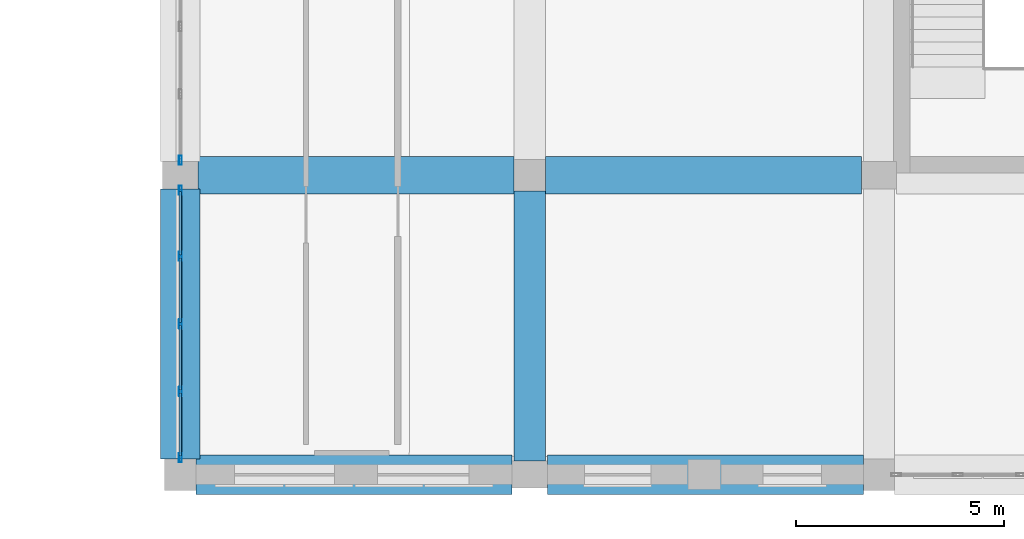
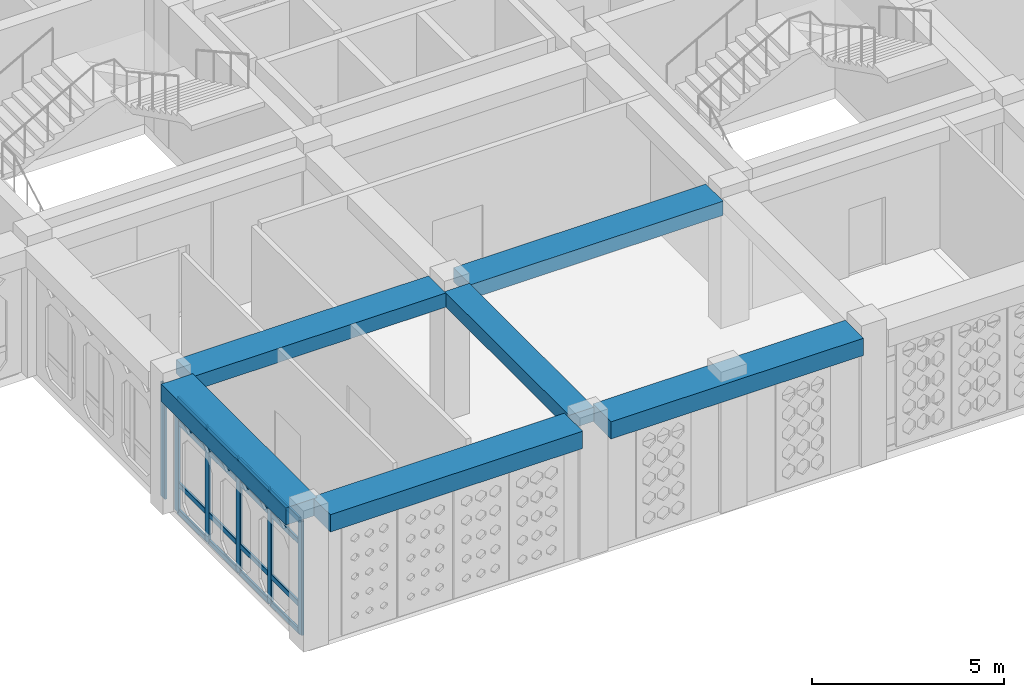
# One storey, part 4 of 121: 22 members, 6 beams, 2 elements without a shape of their own.
"""IFC4 building model written with IfcOpenShell, lengths in metres."""

from ifc_helpers import new_model, si_unit, derived_unit, direction, frame, origin, origin_2d, place, context, subcontext, project, spatial, rectangle, hollow_rectangle, extrude, material, material_profile, profile_set, type_object, element, aggregate, save


model = new_model("IFC4")

# Units and contexts
model_context = context("Model", 3, precision=1e-05, world=origin(), true_north=direction((0.0, 1.0)))
body_context = subcontext(model_context, "Body", "Model", "MODEL_VIEW")
ifc_project = project(units=[si_unit("LENGTHUNIT", "METRE"), si_unit("AREAUNIT", "SQUARE_METRE"), si_unit("VOLUMEUNIT", "CUBIC_METRE"), si_unit("PLANEANGLEUNIT", "RADIAN"), si_unit("MASSUNIT", "GRAM", prefix="KILO"), derived_unit("THERMALTRANSMITTANCEUNIT", [(si_unit("POWERUNIT", "WATT"), 1), (si_unit("LENGTHUNIT", "METRE"), -2), (si_unit("THERMODYNAMICTEMPERATUREUNIT", "KELVIN"), -1)])], contexts=[model_context])

# Site, building, storey
site_placement = place(None, origin())
site = spatial("IfcSite", under=ifc_project, at=site_placement, CompositionType="ELEMENT")
building_placement = place(site_placement, origin())
building = spatial("IfcBuilding", under=site, at=building_placement, Name="Veybourne Emporium", CompositionType="ELEMENT")
storey_placement = place(building_placement, frame((0.0, 0.0, 5.39990234375)))
storey = spatial("IfcBuildingStorey", under=building, at=storey_placement, Name="L01", CompositionType="ELEMENT", Elevation=5.39990234375)

# Curtain wall, member
ifc_material_1 = material(Name="Patinated Architectural Bronze", Category="bronze")
curtain_wall_type_1 = type_object("IfcCurtainWallType", Name="CWSystem_CWS-01", PredefinedType="NOTDEFINED", material=ifc_material_1)
curtain_wall_1_placement = place(storey_placement, origin())
curtain_wall_1 = element("IfcCurtainWall", 1, at=curtain_wall_1_placement, inside=storey, type_object=curtain_wall_type_1, Name="L01 bronze glazed curtain wall CWS-01 (016)", PredefinedType="NOTDEFINED")
ifc_material_profile_1 = material_profile(ifc_material_1, hollow_rectangle(XDim=0.072021484375, YDim=0.22509765625, WallThickness=0.0048828125, InnerFilletRadius=0.007568359375, OuterFilletRadius=0.012451171875, at=origin_2d()), Name="CWM 72x225x5")
ifc_profile_set_1 = profile_set([ifc_material_profile_1], Name="Patinated Architectural Bronze")
member_type_1 = type_object("IfcMemberType", Name="CWMullion_CW-M1", PredefinedType="MULLION", material=ifc_profile_set_1)
member_1_placement = place(storey_placement, frame((16.800048828125, 7.56103515625, 0.0), z_axis=(0.0, 0.0, 1.0), x_axis=(-1.0, 0.0, 0.0)))
member_1 = element("IfcMember", 2, at=member_1_placement, type_object=member_type_1, Name="CWS-01 mullion 1", PredefinedType="MULLION", context=body_context, shape_type="SweptSolid", body=[
    extrude(hollow_rectangle(XDim=0.072021484375, YDim=0.22509765625, WallThickness=0.0048828125, InnerFilletRadius=0.007568359375, OuterFilletRadius=0.012451171875, at=origin_2d()), origin(), (0.0, 0.0, 1.0), 3.630126953125),
])
aggregate(curtain_wall_1, [member_1])

# Curtain wall, members
curtain_wall_type_2 = type_object("IfcCurtainWallType", Name="CWSystem_CWS-28", PredefinedType="NOTDEFINED", material=ifc_material_1)
curtain_wall_2_placement = place(storey_placement, origin())
curtain_wall_2 = element("IfcCurtainWall", 3, at=curtain_wall_2_placement, inside=storey, type_object=curtain_wall_type_2, Name="L01 bronze glazed curtain wall CWS-28 (015)", PredefinedType="NOTDEFINED")
ifc_material_profile_2 = material_profile(ifc_material_1, hollow_rectangle(XDim=0.070068359375, YDim=0.219970703125, WallThickness=0.0048828125, InnerFilletRadius=0.007568359375, OuterFilletRadius=0.012451171875, at=origin_2d()), Name="CWM 70x220x5")
ifc_profile_set_2 = profile_set([ifc_material_profile_2], Name="Patinated Architectural Bronze")
member_type_2 = type_object("IfcMemberType", Name="CWMullion_CW-M4", PredefinedType="MULLION", material=ifc_profile_set_2)
member_2_placement = place(storey_placement, frame((16.800048828125, 0.409912109375, 0.0), z_axis=(0.0, 0.0, 1.0), x_axis=(-1.0, 0.0, 0.0)))
member_2 = element("IfcMember", 4, at=member_2_placement, type_object=member_type_2, Name="CWS-28 mullion 1", PredefinedType="MULLION", context=body_context, shape_type="SweptSolid", body=[
    extrude(hollow_rectangle(XDim=0.070068359375, YDim=0.219970703125, WallThickness=0.0048828125, InnerFilletRadius=0.007568359375, OuterFilletRadius=0.012451171875, at=origin_2d()), origin(), (0.0, 0.0, 1.0), 3.630126953125),
])
member_3_placement = place(storey_placement, frame((16.800048828125, 2.0, 0.0), z_axis=(0.0, 0.0, 1.0), x_axis=(-1.0, 0.0, 0.0)))
member_3 = element("IfcMember", 5, at=member_3_placement, type_object=member_type_2, Name="CWS-28 mullion 2", PredefinedType="MULLION", context=body_context, shape_type="SweptSolid", body=[
    extrude(hollow_rectangle(XDim=0.070068359375, YDim=0.219970703125, WallThickness=0.0048828125, InnerFilletRadius=0.007568359375, OuterFilletRadius=0.012451171875, at=origin_2d()), origin(), (0.0, 0.0, 1.0), 3.630126953125),
])
member_4_placement = place(storey_placement, frame((16.800048828125, 3.625, 0.0), z_axis=(0.0, 0.0, 1.0), x_axis=(-1.0, 0.0, 0.0)))
member_4 = element("IfcMember", 6, at=member_4_placement, type_object=member_type_2, Name="CWS-28 mullion 3", PredefinedType="MULLION", context=body_context, shape_type="SweptSolid", body=[
    extrude(hollow_rectangle(XDim=0.070068359375, YDim=0.219970703125, WallThickness=0.0048828125, InnerFilletRadius=0.007568359375, OuterFilletRadius=0.012451171875, at=origin_2d()), origin(), (0.0, 0.0, 1.0), 3.630126953125),
])
member_5_placement = place(storey_placement, frame((16.800048828125, 5.25, 0.0), z_axis=(0.0, 0.0, 1.0), x_axis=(-1.0, 0.0, 0.0)))
member_5 = element("IfcMember", 7, at=member_5_placement, type_object=member_type_2, Name="CWS-28 mullion 4", PredefinedType="MULLION", context=body_context, shape_type="SweptSolid", body=[
    extrude(hollow_rectangle(XDim=0.070068359375, YDim=0.219970703125, WallThickness=0.0048828125, InnerFilletRadius=0.007568359375, OuterFilletRadius=0.012451171875, at=origin_2d()), origin(), (0.0, 0.0, 1.0), 3.630126953125),
])
member_6_placement = place(storey_placement, frame((16.800048828125, 6.840087890625, 0.0), z_axis=(0.0, 0.0, 1.0), x_axis=(-1.0, 0.0, 0.0)))
member_6 = element("IfcMember", 8, at=member_6_placement, type_object=member_type_2, Name="CWS-28 mullion 5", PredefinedType="MULLION", context=body_context, shape_type="SweptSolid", body=[
    extrude(hollow_rectangle(XDim=0.070068359375, YDim=0.219970703125, WallThickness=0.0048828125, InnerFilletRadius=0.007568359375, OuterFilletRadius=0.012451171875, at=origin_2d()), origin(), (0.0, 0.0, 1.0), 3.630126953125),
])
ifc_material_profile_3 = material_profile(ifc_material_1, hollow_rectangle(XDim=0.070068359375, YDim=0.169921875, WallThickness=0.0048828125, InnerFilletRadius=0.007568359375, OuterFilletRadius=0.012451171875, at=origin_2d()), Name="CWT 70x170x5")
ifc_profile_set_3 = profile_set([ifc_material_profile_3], Name="Patinated Architectural Bronze")
member_type_3 = type_object("IfcMemberType", Name="CWTransom_CW-T4", PredefinedType="NOTDEFINED", material=ifc_profile_set_3)
member_7_placement = place(storey_placement, frame((16.800048828125, 0.445068359375, 0.03515625), z_axis=(0.0, 1.0, 0.0), x_axis=(-1.0, 0.0, 0.0)))
member_7 = element("IfcMember", 9, at=member_7_placement, type_object=member_type_3, Name="CWS-28 transom 1.1", ObjectType="TRANSOM", PredefinedType="USERDEFINED", context=body_context, shape_type="SweptSolid", body=[
    extrude(hollow_rectangle(XDim=0.070068359375, YDim=0.169921875, WallThickness=0.0048828125, InnerFilletRadius=0.007568359375, OuterFilletRadius=0.012451171875, at=origin_2d()), origin(), (0.0, 0.0, 1.0), 1.52001953125),
])
member_8_placement = place(storey_placement, frame((16.800048828125, 0.445068359375, 0.900146484375), z_axis=(0.0, 1.0, 0.0), x_axis=(-1.0, 0.0, 0.0)))
member_8 = element("IfcMember", 10, at=member_8_placement, type_object=member_type_3, Name="CWS-28 transom 1.2", ObjectType="TRANSOM", PredefinedType="USERDEFINED", context=body_context, shape_type="SweptSolid", body=[
    extrude(hollow_rectangle(XDim=0.070068359375, YDim=0.169921875, WallThickness=0.0048828125, InnerFilletRadius=0.007568359375, OuterFilletRadius=0.012451171875, at=origin_2d()), origin(), (0.0, 0.0, 1.0), 1.52001953125),
])
member_9_placement = place(storey_placement, frame((16.800048828125, 0.445068359375, 2.880126953125), z_axis=(0.0, 1.0, 0.0), x_axis=(-1.0, 0.0, 0.0)))
member_9 = element("IfcMember", 11, at=member_9_placement, type_object=member_type_3, Name="CWS-28 transom 1.3", ObjectType="TRANSOM", PredefinedType="USERDEFINED", context=body_context, shape_type="SweptSolid", body=[
    extrude(hollow_rectangle(XDim=0.070068359375, YDim=0.169921875, WallThickness=0.0048828125, InnerFilletRadius=0.007568359375, OuterFilletRadius=0.012451171875, at=origin_2d()), origin(), (0.0, 0.0, 1.0), 1.52001953125),
])
member_10_placement = place(storey_placement, frame((16.800048828125, 0.445068359375, 3.59521484375), z_axis=(0.0, 1.0, 0.0), x_axis=(-1.0, 0.0, 0.0)))
member_10 = element("IfcMember", 12, at=member_10_placement, type_object=member_type_3, Name="CWS-28 transom 1.4", ObjectType="TRANSOM", PredefinedType="USERDEFINED", context=body_context, shape_type="SweptSolid", body=[
    extrude(hollow_rectangle(XDim=0.070068359375, YDim=0.169921875, WallThickness=0.0048828125, InnerFilletRadius=0.007568359375, OuterFilletRadius=0.012451171875, at=origin_2d()), origin(), (0.0, 0.0, 1.0), 1.52001953125),
])
member_11_placement = place(storey_placement, frame((16.800048828125, 2.034912109375, 0.03515625), z_axis=(0.0, 1.0, 0.0), x_axis=(-1.0, 0.0, 0.0)))
member_11 = element("IfcMember", 13, at=member_11_placement, type_object=member_type_3, Name="CWS-28 transom 2.1", ObjectType="TRANSOM", PredefinedType="USERDEFINED", context=body_context, shape_type="SweptSolid", body=[
    extrude(hollow_rectangle(XDim=0.070068359375, YDim=0.169921875, WallThickness=0.0048828125, InnerFilletRadius=0.007568359375, OuterFilletRadius=0.012451171875, at=origin_2d()), origin(), (0.0, 0.0, 1.0), 1.55517578125),
])
member_12_placement = place(storey_placement, frame((16.800048828125, 2.034912109375, 0.900146484375), z_axis=(0.0, 1.0, 0.0), x_axis=(-1.0, 0.0, 0.0)))
member_12 = element("IfcMember", 14, at=member_12_placement, type_object=member_type_3, Name="CWS-28 transom 2.2", ObjectType="TRANSOM", PredefinedType="USERDEFINED", context=body_context, shape_type="SweptSolid", body=[
    extrude(hollow_rectangle(XDim=0.070068359375, YDim=0.169921875, WallThickness=0.0048828125, InnerFilletRadius=0.007568359375, OuterFilletRadius=0.012451171875, at=origin_2d()), origin(), (0.0, 0.0, 1.0), 1.55517578125),
])
member_13_placement = place(storey_placement, frame((16.800048828125, 2.034912109375, 2.880126953125), z_axis=(0.0, 1.0, 0.0), x_axis=(-1.0, 0.0, 0.0)))
member_13 = element("IfcMember", 15, at=member_13_placement, type_object=member_type_3, Name="CWS-28 transom 2.3", ObjectType="TRANSOM", PredefinedType="USERDEFINED", context=body_context, shape_type="SweptSolid", body=[
    extrude(hollow_rectangle(XDim=0.070068359375, YDim=0.169921875, WallThickness=0.0048828125, InnerFilletRadius=0.007568359375, OuterFilletRadius=0.012451171875, at=origin_2d()), origin(), (0.0, 0.0, 1.0), 1.55517578125),
])
member_14_placement = place(storey_placement, frame((16.800048828125, 2.034912109375, 3.59521484375), z_axis=(0.0, 1.0, 0.0), x_axis=(-1.0, 0.0, 0.0)))
member_14 = element("IfcMember", 16, at=member_14_placement, type_object=member_type_3, Name="CWS-28 transom 2.4", ObjectType="TRANSOM", PredefinedType="USERDEFINED", context=body_context, shape_type="SweptSolid", body=[
    extrude(hollow_rectangle(XDim=0.070068359375, YDim=0.169921875, WallThickness=0.0048828125, InnerFilletRadius=0.007568359375, OuterFilletRadius=0.012451171875, at=origin_2d()), origin(), (0.0, 0.0, 1.0), 1.55517578125),
])
member_15_placement = place(storey_placement, frame((16.800048828125, 3.659912109375, 0.03515625), z_axis=(0.0, 1.0, 0.0), x_axis=(-1.0, 0.0, 0.0)))
member_15 = element("IfcMember", 17, at=member_15_placement, type_object=member_type_3, Name="CWS-28 transom 3.1", ObjectType="TRANSOM", PredefinedType="USERDEFINED", context=body_context, shape_type="SweptSolid", body=[
    extrude(hollow_rectangle(XDim=0.070068359375, YDim=0.169921875, WallThickness=0.0048828125, InnerFilletRadius=0.007568359375, OuterFilletRadius=0.012451171875, at=origin_2d()), origin(), (0.0, 0.0, 1.0), 1.55517578125),
])
member_16_placement = place(storey_placement, frame((16.800048828125, 3.659912109375, 0.900146484375), z_axis=(0.0, 1.0, 0.0), x_axis=(-1.0, 0.0, 0.0)))
member_16 = element("IfcMember", 18, at=member_16_placement, type_object=member_type_3, Name="CWS-28 transom 3.2", ObjectType="TRANSOM", PredefinedType="USERDEFINED", context=body_context, shape_type="SweptSolid", body=[
    extrude(hollow_rectangle(XDim=0.070068359375, YDim=0.169921875, WallThickness=0.0048828125, InnerFilletRadius=0.007568359375, OuterFilletRadius=0.012451171875, at=origin_2d()), origin(), (0.0, 0.0, 1.0), 1.55517578125),
])
member_17_placement = place(storey_placement, frame((16.800048828125, 3.659912109375, 2.880126953125), z_axis=(0.0, 1.0, 0.0), x_axis=(-1.0, 0.0, 0.0)))
member_17 = element("IfcMember", 19, at=member_17_placement, type_object=member_type_3, Name="CWS-28 transom 3.3", ObjectType="TRANSOM", PredefinedType="USERDEFINED", context=body_context, shape_type="SweptSolid", body=[
    extrude(hollow_rectangle(XDim=0.070068359375, YDim=0.169921875, WallThickness=0.0048828125, InnerFilletRadius=0.007568359375, OuterFilletRadius=0.012451171875, at=origin_2d()), origin(), (0.0, 0.0, 1.0), 1.55517578125),
])
member_18_placement = place(storey_placement, frame((16.800048828125, 3.659912109375, 3.59521484375), z_axis=(0.0, 1.0, 0.0), x_axis=(-1.0, 0.0, 0.0)))
member_18 = element("IfcMember", 20, at=member_18_placement, type_object=member_type_3, Name="CWS-28 transom 3.4", ObjectType="TRANSOM", PredefinedType="USERDEFINED", context=body_context, shape_type="SweptSolid", body=[
    extrude(hollow_rectangle(XDim=0.070068359375, YDim=0.169921875, WallThickness=0.0048828125, InnerFilletRadius=0.007568359375, OuterFilletRadius=0.012451171875, at=origin_2d()), origin(), (0.0, 0.0, 1.0), 1.55517578125),
])
member_19_placement = place(storey_placement, frame((16.800048828125, 5.284912109375, 0.03515625), z_axis=(0.0, 1.0, 0.0), x_axis=(-1.0, 0.0, 0.0)))
member_19 = element("IfcMember", 21, at=member_19_placement, type_object=member_type_3, Name="CWS-28 transom 4.1", ObjectType="TRANSOM", PredefinedType="USERDEFINED", context=body_context, shape_type="SweptSolid", body=[
    extrude(hollow_rectangle(XDim=0.070068359375, YDim=0.169921875, WallThickness=0.0048828125, InnerFilletRadius=0.007568359375, OuterFilletRadius=0.012451171875, at=origin_2d()), origin(), (0.0, 0.0, 1.0), 1.52001953125),
])
member_20_placement = place(storey_placement, frame((16.800048828125, 5.284912109375, 0.900146484375), z_axis=(0.0, 1.0, 0.0), x_axis=(-1.0, 0.0, 0.0)))
member_20 = element("IfcMember", 22, at=member_20_placement, type_object=member_type_3, Name="CWS-28 transom 4.2", ObjectType="TRANSOM", PredefinedType="USERDEFINED", context=body_context, shape_type="SweptSolid", body=[
    extrude(hollow_rectangle(XDim=0.070068359375, YDim=0.169921875, WallThickness=0.0048828125, InnerFilletRadius=0.007568359375, OuterFilletRadius=0.012451171875, at=origin_2d()), origin(), (0.0, 0.0, 1.0), 1.52001953125),
])
member_21_placement = place(storey_placement, frame((16.800048828125, 5.284912109375, 2.880126953125), z_axis=(0.0, 1.0, 0.0), x_axis=(-1.0, 0.0, 0.0)))
member_21 = element("IfcMember", 23, at=member_21_placement, type_object=member_type_3, Name="CWS-28 transom 4.3", ObjectType="TRANSOM", PredefinedType="USERDEFINED", context=body_context, shape_type="SweptSolid", body=[
    extrude(hollow_rectangle(XDim=0.070068359375, YDim=0.169921875, WallThickness=0.0048828125, InnerFilletRadius=0.007568359375, OuterFilletRadius=0.012451171875, at=origin_2d()), origin(), (0.0, 0.0, 1.0), 1.52001953125),
])
member_22_placement = place(storey_placement, frame((16.800048828125, 5.284912109375, 3.59521484375), z_axis=(0.0, 1.0, 0.0), x_axis=(-1.0, 0.0, 0.0)))
member_22 = element("IfcMember", 24, at=member_22_placement, type_object=member_type_3, Name="CWS-28 transom 4.4", ObjectType="TRANSOM", PredefinedType="USERDEFINED", context=body_context, shape_type="SweptSolid", body=[
    extrude(hollow_rectangle(XDim=0.070068359375, YDim=0.169921875, WallThickness=0.0048828125, InnerFilletRadius=0.007568359375, OuterFilletRadius=0.012451171875, at=origin_2d()), origin(), (0.0, 0.0, 1.0), 1.52001953125),
])
aggregate(curtain_wall_2, [member_2, member_3, member_4, member_5, member_6, member_7, member_8, member_9, member_10, member_11, member_12, member_13, member_14, member_15, member_16, member_17, member_18, member_19, member_20, member_21, member_22])

# Beams
ifc_material_2 = material(Name="Concrete C32/40", Category="concrete")
ifc_material_profile_4 = material_profile(ifc_material_2, rectangle(XDim=0.89990234375, YDim=0.449951171875, at=origin_2d()), Name="RC 900x450")
ifc_profile_set_4 = profile_set([ifc_material_profile_4], Name="Concrete C32/40")
beam_type_1 = type_object("IfcBeamType", Name="RCBeam_BB-03", PredefinedType="BEAM", material=ifc_profile_set_4)
beam_1_placement = place(storey_placement, frame((17.22509765625, 7.199951171875, 3.955078125), z_axis=(1.0, 0.0, 0.0), x_axis=(0.0, 1.0, 0.0)))
element("IfcBeam", 25, at=beam_1_placement, inside=storey, type_object=beam_type_1, Name="L01 X-grid beam BB-03 (2,1)", PredefinedType="BEAM", context=body_context, shape_type="SweptSolid", body=[
    extrude(rectangle(XDim=0.89990234375, YDim=0.449951171875, at=origin_2d()), origin(), (0.0, 0.0, 1.0), 7.599853515625),
])
beam_2_placement = place(storey_placement, frame((25.574951171875, 7.199951171875, 3.955078125), z_axis=(1.0, 0.0, 0.0), x_axis=(0.0, 1.0, 0.0)))
element("IfcBeam", 26, at=beam_2_placement, inside=storey, type_object=beam_type_1, Name="L01 X-grid beam BB-03 (3,1)", PredefinedType="BEAM", context=body_context, shape_type="SweptSolid", body=[
    extrude(rectangle(XDim=0.89990234375, YDim=0.449951171875, at=origin_2d()), origin(), (0.0, 0.0, 1.0), 7.60009765625),
])
ifc_material_profile_5 = material_profile(ifc_material_2, rectangle(XDim=0.75, YDim=0.449951171875, at=origin_2d()), Name="RC 750x450")
ifc_profile_set_5 = profile_set([ifc_material_profile_5], Name="Concrete C32/40")
beam_type_2 = type_object("IfcBeamType", Name="RCBeam_BB-04", PredefinedType="BEAM", material=ifc_profile_set_5)
beam_3_placement = place(storey_placement, frame((25.199951171875, 0.324951171875, 3.955078125), z_axis=(0.0, 1.0, 0.0), x_axis=(-1.0, 0.0, 0.0)))
element("IfcBeam", 27, at=beam_3_placement, inside=storey, type_object=beam_type_2, Name="L01 Y-grid beam BB-04 (3,0)", PredefinedType="BEAM", context=body_context, shape_type="SweptSolid", body=[
    extrude(rectangle(XDim=0.75, YDim=0.449951171875, at=origin_2d()), origin(), (0.0, 0.0, 1.0), 6.5),
])
ifc_material_profile_6 = material_profile(ifc_material_2, rectangle(XDim=0.949951171875, YDim=0.550048828125, at=origin_2d()), Name="RC 950x550")
ifc_profile_set_6 = profile_set([ifc_material_profile_6], Name="Concrete C32/40")
beam_type_3 = type_object("IfcBeamType", Name="RCBeam_EB-01", PredefinedType="SPANDREL", material=ifc_profile_set_6)
beam_4_placement = place(storey_placement, frame((17.175048828125, 0.0, 3.905029296875), z_axis=(1.0, 0.0, 0.0), x_axis=(0.0, 1.0, 0.0)))
element("IfcBeam", 28, at=beam_4_placement, inside=storey, type_object=beam_type_3, Name="L01 X-grid beam EB-01 (2,0)", PredefinedType="SPANDREL", context=body_context, shape_type="SweptSolid", body=[
    extrude(rectangle(XDim=0.949951171875, YDim=0.550048828125, at=origin_2d()), origin(), (0.0, 0.0, 1.0), 7.599853515625),
])
beam_5_placement = place(storey_placement, frame((25.625, 0.0, 3.905029296875), z_axis=(1.0, 0.0, 0.0), x_axis=(0.0, 1.0, 0.0)))
element("IfcBeam", 29, at=beam_5_placement, inside=storey, type_object=beam_type_3, Name="L01 X-grid beam EB-01 (3,0)", PredefinedType="SPANDREL", context=body_context, shape_type="SweptSolid", body=[
    extrude(rectangle(XDim=0.949951171875, YDim=0.550048828125, at=origin_2d()), origin(), (0.0, 0.0, 1.0), 7.60009765625),
])
beam_6_placement = place(storey_placement, frame((16.800048828125, 0.375, 3.905029296875), z_axis=(0.0, 1.0, 0.0), x_axis=(-1.0, 0.0, 0.0)))
element("IfcBeam", 30, at=beam_6_placement, inside=storey, type_object=beam_type_3, Name="L01 Y-grid beam EB-01 (2,0)", PredefinedType="SPANDREL", context=body_context, shape_type="SweptSolid", body=[
    extrude(rectangle(XDim=0.949951171875, YDim=0.550048828125, at=origin_2d()), origin(), (0.0, 0.0, 1.0), 6.5),
])

save(model, "model.ifc")
